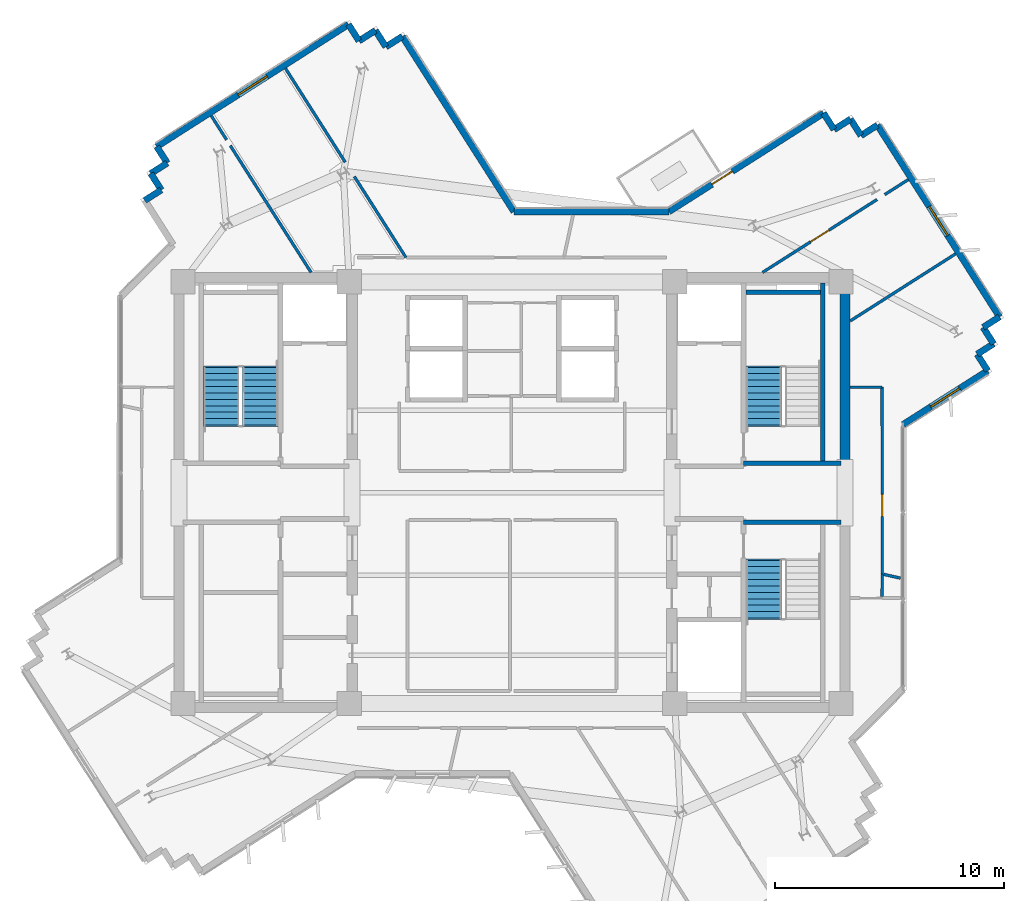
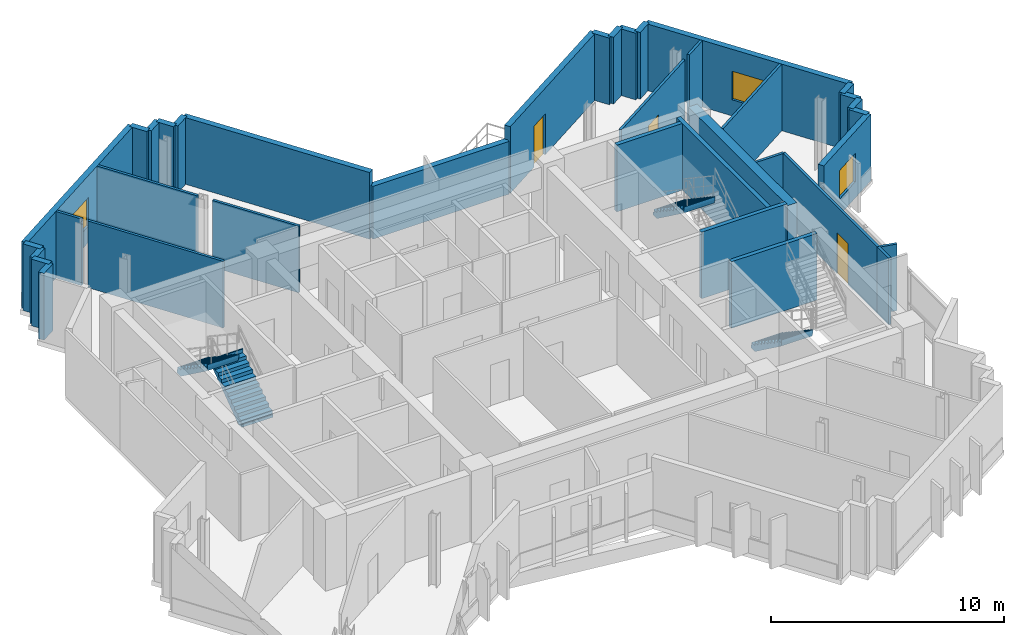
# One storey, part 8 of 12: 38 walls, 4 stair flights, 3 doors, 3 windows, 6 openings, 3 elements without a shape of their own.
"""IFC4 building model written with IfcOpenShell, lengths in metres."""

from ifc_helpers import new_model, si_unit, direction, frame, frame_2d, origin, place, context, subcontext, project, spatial, polyline, rectangle, outline, extrude, source, transform, mapped, material, layer, layer_set, type_object, element, fill, aggregate, save


model = new_model("IFC4")

# Units and contexts
model_context = context("Model", 3, precision=1e-05, world=origin(), true_north=direction((0.0, 1.0)))
body_context = subcontext(model_context, "Body", "Model", "MODEL_VIEW")
ifc_project = project(units=[si_unit("LENGTHUNIT", "METRE"), si_unit("AREAUNIT", "SQUARE_METRE"), si_unit("VOLUMEUNIT", "CUBIC_METRE"), si_unit("PLANEANGLEUNIT", "RADIAN"), si_unit("MASSUNIT", "GRAM", prefix="KILO")], contexts=[model_context])

# Site, building, storey
site_placement = place(None, origin())
site = spatial("IfcSite", under=ifc_project, at=site_placement, CompositionType="ELEMENT")
building_placement = place(site_placement, origin())
building = spatial("IfcBuilding", under=site, at=building_placement, Name="Zahravan Cultural Tower", CompositionType="ELEMENT")
storey_placement = place(building_placement, frame((0.0, 0.0, 265.35009765625)))
storey = spatial("IfcBuildingStorey", under=building, at=storey_placement, Name="L63", CompositionType="ELEMENT", Elevation=265.35009765625)

# Wall, opening, door
ifc_material_1 = material(Name="Precast concrete C40/50", Category="concrete")
ifc_layer_1 = layer(ifc_material_1, 0.280029296875)
ifc_layer_set_1 = layer_set([ifc_layer_1], Name="Precast concrete C40/50")
wall_type_1 = type_object("IfcWallType", Name="EW-TC-280", PredefinedType="SOLIDWALL", material=ifc_layer_set_1)
wall_1_placement = place(storey_placement, frame((42.84912109375, 39.260009765625, 0.0), z_axis=(0.0, 0.0, 1.0), x_axis=(0.843388565396, 0.537304129669, 0.0)))
wall_1 = element("IfcWall", 1, at=wall_1_placement, inside=storey, type_object=wall_type_1, Name="L63 Exterior Masonry Frame Wall 01", PredefinedType="SOLIDWALL", context=body_context, shape_type="SweptSolid", body=[
    extrude(rectangle(XDim=7.99609375, YDim=0.280029296875, at=frame_2d((3.998046875, 0.0))), origin(), (0.0, 0.0, 1.0), 3.5),
])
opening_1_placement = place(wall_1_placement, frame((2.222900390625, 0.0, 0.0)))
opening_1 = element("IfcOpeningElement", 2, at=opening_1_placement, cuts=wall_1, Name="Opening D-L63-TR-NE", PredefinedType="OPENING", context=body_context, shape_type="SweptSolid", body=[
    extrude(rectangle(XDim=1.050048828125, YDim=2.14990234375, at=frame_2d((0.52490234375, 1.074951171875))), frame((0.0, 0.14990234375, 0.0), z_axis=(0.0, -1.0, 0.0), x_axis=(1.0, 0.0, 0.0)), (0.0, 0.0, 1.0), 0.300048828125),
])
ifc_material_2 = material(Name="Anodised bronze-aluminium mullion", Category="aluminium")
door_type_1 = type_object("IfcDoorType", Name="DR-TERR-1050", OperationType="NOTDEFINED", PredefinedType="DOOR", material=ifc_material_2)
shared_shape_1 = source(origin(), body_context, "Body", "SweptSolid", [
    extrude(rectangle(XDim=1.050048828125, YDim=2.14990234375, at=frame_2d((0.52490234375, 1.074951171875))), frame((0.0, 0.02490234375, 0.0), z_axis=(0.0, -1.0, 0.0), x_axis=(1.0, 0.0, 0.0)), (0.0, 0.0, 1.0), 0.050048828125),
])
door_1_placement = place(opening_1_placement, origin())
door_1 = element("IfcDoor", 3, at=door_1_placement, inside=storey, type_object=door_type_1, Name="L63 Terrace Access Door NE", OperationType="SINGLE_SWING_RIGHT", OverallHeight=2.14990234375, OverallWidth=1.050048828125, PredefinedType="DOOR", context=body_context, shape_type="MappedRepresentation", body=[
    mapped(shared_shape_1, transform((0.0, 0.0, 0.0), x_axis=(1.0, 0.0, 0.0), y_axis=(0.0, 1.0, 0.0), z_axis=(0.0, 0.0, 1.0), scale=1.0)),
])
fill(opening_1, door_1)

# Wall, opening, window
wall_2_placement = place(storey_placement, frame((51.940185546875, 43.035888671875, 0.0), z_axis=(0.0, 0.0, 1.0), x_axis=(0.537314949054, -0.843381672508, 0.0)))
wall_2 = element("IfcWall", 4, at=wall_2_placement, inside=storey, type_object=wall_type_1, Name="L63 Exterior Masonry Frame Wall 06", PredefinedType="SOLIDWALL", context=body_context, shape_type="SweptSolid", body=[
    extrude(rectangle(XDim=9.919921875, YDim=0.280029296875, at=frame_2d((4.9599609375, 0.0))), origin(), (0.0, 0.0, 1.0), 3.5),
])
opening_2_placement = place(wall_2_placement, frame((4.2099609375, 0.0, 0.85009765625)))
opening_2 = element("IfcOpeningElement", 5, at=opening_2_placement, cuts=wall_2, Name="Opening WN-03", PredefinedType="OPENING", context=body_context, shape_type="SweptSolid", body=[
    extrude(rectangle(XDim=1.5, YDim=1.5, at=frame_2d((0.75, 0.75))), frame((0.0, 0.14990234375, 0.0), z_axis=(0.0, -1.0, 0.0), x_axis=(1.0, 0.0, 0.0)), (0.0, 0.0, 1.0), 0.300048828125),
])
ifc_material_3 = material(Name="Low-E solar-control double glazing", Category="glass")
window_type = type_object("IfcWindowType", Name="WN-REC-1500X1500", PartitioningType="SINGLE_PANEL", PredefinedType="WINDOW", material=ifc_material_3)
shared_shape_2 = source(origin(), body_context, "Body", "SweptSolid", [
    extrude(rectangle(XDim=1.5, YDim=1.5, at=frame_2d((0.75, 0.75))), frame((0.0, 0.030029296875, 0.0), z_axis=(0.0, -1.0, 0.0), x_axis=(1.0, 0.0, 0.0)), (0.0, 0.0, 1.0), 0.06005859375),
])
window_1_placement = place(opening_2_placement, origin())
window_1 = element("IfcWindow", 6, at=window_1_placement, inside=storey, type_object=window_type, Name="L63 Recessed Solar Window 01", OverallHeight=1.5, OverallWidth=1.5, PartitioningType="SINGLE_PANEL", PredefinedType="WINDOW", context=body_context, shape_type="MappedRepresentation", body=[
    mapped(shared_shape_2, transform((0.0, 0.0, 0.0), x_axis=(1.0, 0.0, 0.0), y_axis=(0.0, 1.0, 0.0), z_axis=(0.0, 0.0, 1.0), scale=1.0)),
])
fill(opening_2, window_1)

wall_3_placement = place(storey_placement, frame((56.75, 32.322509765625, 0.0), z_axis=(0.0, 0.0, 1.0), x_axis=(-0.843383352012, -0.537312312857, 0.0)))
wall_3 = element("IfcWall", 7, at=wall_3_placement, inside=storey, type_object=wall_type_1, Name="L63 Exterior Masonry Frame Wall 11", PredefinedType="SOLIDWALL", context=body_context, shape_type="SweptSolid", body=[
    extrude(rectangle(XDim=4.375244140625, YDim=0.280029296875, at=frame_2d((2.1875, 0.0))), origin(), (0.0, 0.0, 1.0), 3.5),
])
opening_3_placement = place(wall_3_placement, frame((1.43798828125, 0.0, 0.85009765625)))
opening_3 = element("IfcOpeningElement", 8, at=opening_3_placement, cuts=wall_3, Name="Opening WN-03", PredefinedType="OPENING", context=body_context, shape_type="SweptSolid", body=[
    extrude(rectangle(XDim=1.5, YDim=1.5, at=frame_2d((0.75, 0.75))), frame((0.0, 0.14990234375, 0.0), z_axis=(0.0, -1.0, 0.0), x_axis=(1.0, 0.0, 0.0)), (0.0, 0.0, 1.0), 0.300048828125),
])
window_2_placement = place(opening_3_placement, origin())
window_2 = element("IfcWindow", 9, at=window_2_placement, inside=storey, type_object=window_type, Name="L63 Recessed Solar Window 02", OverallHeight=1.5, OverallWidth=1.5, PartitioningType="SINGLE_PANEL", PredefinedType="WINDOW", context=body_context, shape_type="MappedRepresentation", body=[
    mapped(shared_shape_2, transform((0.0, 0.0, 0.0), x_axis=(1.0, 0.0, 0.0), y_axis=(0.0, 1.0, 0.0), z_axis=(0.0, 0.0, 1.0), scale=1.0)),
])
fill(opening_3, window_2)

wall_4_placement = place(storey_placement, frame((20.501220703125, 42.0966796875, 0.0), z_axis=(0.0, 0.0, 1.0), x_axis=(0.843388777764, 0.537303796322, 0.0)))
wall_4 = element("IfcWall", 10, at=wall_4_placement, inside=storey, type_object=wall_type_1, Name="L63 Exterior Masonry Frame Wall 42", PredefinedType="SOLIDWALL", context=body_context, shape_type="SweptSolid", body=[
    extrude(rectangle(XDim=9.920166015625, YDim=0.280029296875, at=frame_2d((4.9599609375, 0.0))), origin(), (0.0, 0.0, 1.0), 3.5),
])
opening_4_placement = place(wall_4_placement, frame((4.2099609375, 0.0, 0.85009765625)))
opening_4 = element("IfcOpeningElement", 11, at=opening_4_placement, cuts=wall_4, Name="Opening WN-03", PredefinedType="OPENING", context=body_context, shape_type="SweptSolid", body=[
    extrude(rectangle(XDim=1.5, YDim=1.5, at=frame_2d((0.75, 0.75))), frame((0.0, 0.14990234375, 0.0), z_axis=(0.0, -1.0, 0.0), x_axis=(1.0, 0.0, 0.0)), (0.0, 0.0, 1.0), 0.300048828125),
])
window_3_placement = place(opening_4_placement, origin())
window_3 = element("IfcWindow", 12, at=window_3_placement, inside=storey, type_object=window_type, Name="L63 Recessed Solar Window 08", OverallHeight=1.5, OverallWidth=1.5, PartitioningType="SINGLE_PANEL", PredefinedType="WINDOW", context=body_context, shape_type="MappedRepresentation", body=[
    mapped(shared_shape_2, transform((0.0, 0.0, 0.0), x_axis=(1.0, 0.0, 0.0), y_axis=(0.0, 1.0, 0.0), z_axis=(0.0, 0.0, 1.0), scale=1.0)),
])
fill(opening_4, window_3)

# Wall, opening, door
ifc_material_4 = material(Name="Gypsum plasterboard partition")
ifc_layer_2 = layer(ifc_material_4, 0.125)
ifc_layer_set_2 = layer_set([ifc_layer_2], Name="Gypsum plasterboard partition")
wall_type_2 = type_object("IfcWallType", Name="W-PART-125", PredefinedType="PARTITIONING", material=ifc_layer_set_2)
wall_5_placement = place(storey_placement, frame((46.926513671875, 36.60498046875, 0.0), z_axis=(0.0, 0.0, 1.0), x_axis=(0.843398332862, 0.537288797693, 0.0)))
wall_5 = element("IfcWall", 13, at=wall_5_placement, inside=storey, type_object=wall_type_2, Name="L63 Interior Wall 055", PredefinedType="PARTITIONING", context=body_context, shape_type="SweptSolid", body=[
    extrude(rectangle(XDim=5.923583984375, YDim=0.125, at=frame_2d((2.9619140625, 0.0))), origin(), (0.0, 0.0, 1.0), 3.5),
])
opening_5_placement = place(wall_5_placement, frame((2.48681640625, 0.0, 0.0)))
opening_5 = element("IfcOpeningElement", 14, at=opening_5_placement, cuts=wall_5, Name="Opening D-L63-31", PredefinedType="OPENING", context=body_context, shape_type="SweptSolid", body=[
    extrude(rectangle(XDim=0.949951171875, YDim=2.14990234375, at=frame_2d((0.47509765625, 1.074951171875))), frame((0.0, 0.072509765625, 0.0), z_axis=(0.0, -1.0, 0.0), x_axis=(1.0, 0.0, 0.0)), (0.0, 0.0, 1.0), 0.14501953125),
])
door_type_2 = type_object("IfcDoorType", Name="DR-ROOM-950", OperationType="NOTDEFINED", PredefinedType="DOOR", material=ifc_material_2)
shared_shape_3 = source(origin(), body_context, "Body", "SweptSolid", [
    extrude(rectangle(XDim=0.949951171875, YDim=2.14990234375, at=frame_2d((0.47509765625, 1.074951171875))), frame((0.0, 0.02490234375, 0.0), z_axis=(0.0, -1.0, 0.0), x_axis=(1.0, 0.0, 0.0)), (0.0, 0.0, 1.0), 0.050048828125),
])
door_2_placement = place(opening_5_placement, origin())
door_2 = element("IfcDoor", 15, at=door_2_placement, inside=storey, type_object=door_type_2, Name="L63 Door D-L63-31", OperationType="SINGLE_SWING_RIGHT", OverallHeight=2.14990234375, OverallWidth=0.949951171875, PredefinedType="DOOR", context=body_context, shape_type="MappedRepresentation", body=[
    mapped(shared_shape_3, transform((0.0, 0.0, 0.0), x_axis=(1.0, 0.0, 0.0), y_axis=(0.0, 1.0, 0.0), z_axis=(0.0, 0.0, 1.0), scale=1.0)),
])
fill(opening_5, door_2)

wall_6_placement = place(storey_placement, frame((52.14990234375, 23.450927734375, 0.0), z_axis=(0.0, 0.0, 1.0), x_axis=(-0.000119850186, 0.999999992818, 0.0)))
wall_6 = element("IfcWall", 16, at=wall_6_placement, inside=storey, type_object=wall_type_2, Name="L63 Interior Wall 086", PredefinedType="PARTITIONING", context=body_context, shape_type="SweptSolid", body=[
    extrude(rectangle(XDim=8.148193359375, YDim=0.125, at=frame_2d((4.07421875, 0.0))), origin(), (0.0, 0.0, 1.0), 3.5),
])
opening_6_placement = place(wall_6_placement, frame((2.519287109375, 0.0, 0.0)))
opening_6 = element("IfcOpeningElement", 17, at=opening_6_placement, cuts=wall_6, Name="Opening D-L63-20", PredefinedType="OPENING", context=body_context, shape_type="SweptSolid", body=[
    extrude(rectangle(XDim=0.949951171875, YDim=2.14990234375, at=frame_2d((0.47509765625, 1.074951171875))), frame((0.0, 0.072509765625, 0.0), z_axis=(0.0, -1.0, 0.0), x_axis=(1.0, 0.0, 0.0)), (0.0, 0.0, 1.0), 0.14501953125),
])
door_3_placement = place(opening_6_placement, origin())
door_3 = element("IfcDoor", 18, at=door_3_placement, inside=storey, type_object=door_type_2, Name="L63 Door D-L63-20", OperationType="SINGLE_SWING_LEFT", OverallHeight=2.14990234375, OverallWidth=0.949951171875, PredefinedType="DOOR", context=body_context, shape_type="MappedRepresentation", body=[
    mapped(shared_shape_3, transform((0.0, 0.0, 0.0), x_axis=(1.0, 0.0, 0.0), y_axis=(0.0, 1.0, 0.0), z_axis=(0.0, 0.0, 1.0), scale=1.0)),
])
fill(opening_6, door_3)

# Walls
ifc_material_5 = material(Name="Concrete C50/60", Category="concrete")
ifc_layer_3 = layer(ifc_material_5, 0.449951171875)
ifc_layer_set_3 = layer_set([ifc_layer_3], Name="Concrete C50/60")
wall_type_3 = type_object("IfcWallType", Name="CW-SHEAR-450-C50", PredefinedType="SHEAR", material=ifc_layer_set_3)
shared_shape_4 = source(origin(), body_context, "Body", "SweptSolid", [
    extrude(rectangle(XDim=8.550048828125, YDim=0.449951171875, at=frame_2d((4.27490234375, 0.0))), origin(), (0.0, 0.0, 1.0), 3.5),
])
wall_7_placement = place(storey_placement, frame((50.52490234375, 28.050048828125, 0.0), z_axis=(0.0, 0.0, 1.0), x_axis=(0.0, 1.0, 0.0)))
element("IfcWall", 19, at=wall_7_placement, inside=storey, type_object=wall_type_3, Name="L63 Core Shear Wall CW-E-EN-L63", PredefinedType="SHEAR", context=body_context, shape_type="MappedRepresentation", body=[
    mapped(shared_shape_4, transform((0.0, 0.0, 0.0), x_axis=(1.0, 0.0, 0.0), y_axis=(0.0, 1.0, 0.0), z_axis=(0.0, 0.0, 1.0), scale=1.0)),
])
shared_shape_5 = source(origin(), body_context, "Body", "SweptSolid", [
    extrude(rectangle(XDim=0.85009765625, YDim=0.280029296875, at=frame_2d((0.425048828125, 0.0))), origin(), (0.0, 0.0, 1.0), 3.5),
])
for number, where, z_axis, x_axis, name in (
    (20, (57.270263671875, 34.669677734375, 0.0), (0.0, 0.0, 1.0), (-0.843401251716, -0.537284215853, 0.0), "L63 Exterior Masonry Frame Wall 07"),
    (21, (29.32421875, 46.7099609375, 0.0), (0.0, 0.0, 1.0), (0.843531374408, 0.537079901308, 0.0), "L63 Exterior Masonry Frame Wall 44"),
):
    element("IfcWall", number, at=place(storey_placement, frame(where, z_axis=z_axis, x_axis=x_axis)), inside=storey, type_object=wall_type_1, Name=name, PredefinedType="SOLIDWALL", context=body_context, shape_type="MappedRepresentation", body=[
        mapped(shared_shape_5, transform((0.0, 0.0, 0.0), x_axis=(1.0, 0.0, 0.0), y_axis=(0.0, 1.0, 0.0), z_axis=(0.0, 0.0, 1.0), scale=1.0)),
    ])
shared_shape_6 = source(origin(), body_context, "Body", "SweptSolid", [
    extrude(rectangle(XDim=0.849853515625, YDim=0.280029296875, at=frame_2d((0.4248046875, 0.0))), origin(), (0.0, 0.0, 1.0), 3.5),
])
for number, where, z_axis, x_axis, name in (
    (22, (49.593017578125, 43.556396484375, 0.0), (0.0, 0.0, 1.0), (0.537414368337, -0.843318324659, 0.0), "L63 Exterior Masonry Frame Wall 02"),
    (23, (50.0498046875, 42.839599609375, 0.0), (0.0, 0.0, 1.0), (0.843448497615, 0.537210044462, 0.0), "L63 Exterior Masonry Frame Wall 03"),
    (24, (50.7666015625, 43.296142578125, 0.0), (0.0, 0.0, 1.0), (0.537414368337, -0.843318324659, 0.0), "L63 Exterior Masonry Frame Wall 04"),
    (25, (51.223388671875, 42.579345703125, 0.0), (0.0, 0.0, 1.0), (0.843448497615, 0.537210044462, 0.0), "L63 Exterior Masonry Frame Wall 05"),
    (26, (56.55322265625, 34.212890625, 0.0), (0.0, 0.0, 1.0), (0.537414368337, -0.843318324659, 0.0), "L63 Exterior Masonry Frame Wall 08"),
    (27, (57.010009765625, 33.49609375, 0.0), (0.0, 0.0, 1.0), (-0.843318324659, -0.537414368337, 0.0), "L63 Exterior Masonry Frame Wall 09"),
    (28, (56.293212890625, 33.039306640625, 0.0), (0.0, 0.0, 1.0), (0.537414368337, -0.843318324659, 0.0), "L63 Exterior Masonry Frame Wall 10"),
    (29, (19.98095703125, 39.74951171875, 0.0), (0.0, 0.0, 1.0), (0.843318324659, 0.537414368337, 0.0), "L63 Exterior Masonry Frame Wall 38"),
    (30, (20.69775390625, 40.206298828125, 0.0), (0.0, 0.0, 1.0), (-0.537210044462, 0.843448497615, 0.0), "L63 Exterior Masonry Frame Wall 39"),
    (31, (20.2412109375, 40.923095703125, 0.0), (0.0, 0.0, 1.0), (0.843318324659, 0.537414368337, 0.0), "L63 Exterior Masonry Frame Wall 40"),
    (32, (20.9580078125, 41.3798828125, 0.0), (0.0, 0.0, 1.0), (-0.537414368337, 0.843318324659, 0.0), "L63 Exterior Masonry Frame Wall 41"),
    (33, (28.86767578125, 47.4267578125, 0.0), (0.0, 0.0, 1.0), (0.537210044462, -0.843448497615, 0.0), "L63 Exterior Masonry Frame Wall 43"),
    (34, (30.041259765625, 47.16650390625, 0.0), (0.0, 0.0, 1.0), (0.537414368337, -0.843318324659, 0.0), "L63 Exterior Masonry Frame Wall 45"),
    (35, (30.498046875, 46.44970703125, 0.0), (0.0, 0.0, 1.0), (0.843318324659, 0.537414368337, 0.0), "L63 Exterior Masonry Frame Wall 46"),
):
    element("IfcWall", number, at=place(storey_placement, frame(where, z_axis=z_axis, x_axis=x_axis)), inside=storey, type_object=wall_type_1, Name=name, PredefinedType="SOLIDWALL", context=body_context, shape_type="MappedRepresentation", body=[
        mapped(shared_shape_6, transform((0.0, 0.0, 0.0), x_axis=(1.0, 0.0, 0.0), y_axis=(0.0, 1.0, 0.0), z_axis=(0.0, 0.0, 1.0), scale=1.0)),
    ])
shared_shape_7 = source(origin(), body_context, "Body", "SweptSolid", [
    extrude(rectangle(XDim=9.06640625, YDim=0.280029296875, at=frame_2d((4.533203125, 0.0))), origin(), (0.0, 0.0, 1.0), 3.5),
])
wall_8_placement = place(storey_placement, frame((31.21484375, 46.906494140625, 0.0), z_axis=(0.0, 0.0, 1.0), x_axis=(0.537298831286, -0.843391940855, 0.0)))
element("IfcWall", 36, at=wall_8_placement, inside=storey, type_object=wall_type_1, Name="L63 Exterior Masonry Frame Wall 47", PredefinedType="SOLIDWALL", context=body_context, shape_type="MappedRepresentation", body=[
    mapped(shared_shape_7, transform((0.0, 0.0, 0.0), x_axis=(1.0, 0.0, 0.0), y_axis=(0.0, 1.0, 0.0), z_axis=(0.0, 0.0, 1.0), scale=1.0)),
])
shared_shape_8 = source(origin(), body_context, "Body", "SweptSolid", [
    extrude(rectangle(XDim=6.762939453125, YDim=0.280029296875, at=frame_2d((3.38134765625, 0.0))), origin(), (0.0, 0.0, 1.0), 2.77197265625),
])
wall_9_placement = place(storey_placement, frame((36.086181640625, 39.260009765625, 0.0), z_axis=(0.0, 0.0, 1.0), x_axis=(1.0, 0.0, 0.0)))
element("IfcWall", 37, at=wall_9_placement, inside=storey, type_object=wall_type_1, Name="L63 Exterior Masonry Frame Wall 48", PredefinedType="SOLIDWALL", context=body_context, shape_type="MappedRepresentation", body=[
    mapped(shared_shape_8, transform((0.0, 0.0, 0.0), x_axis=(1.0, 0.0, 0.0), y_axis=(0.0, 1.0, 0.0), z_axis=(0.0, 0.0, 1.0), scale=1.0)),
])
ifc_material_6 = material(Name="Concrete C45/55", Category="concrete")
ifc_layer_4 = layer(ifc_material_6, 0.199951171875)
ifc_layer_set_4 = layer_set([ifc_layer_4], Name="Concrete C45/55")
wall_type_4 = type_object("IfcWallType", Name="W-SHAFT-200", PredefinedType="SOLIDWALL", material=ifc_layer_set_4)
shared_shape_9 = source(origin(), body_context, "Body", "SweptSolid", [
    extrude(rectangle(XDim=7.869873046875, YDim=0.199951171875, at=frame_2d((3.93505859375, 0.0))), origin(), (0.0, 0.0, 1.0), 3.5),
])
wall_10_placement = place(storey_placement, frame((49.550048828125, 28.280029296875, 0.0), z_axis=(0.0, 0.0, 1.0), x_axis=(0.0, 1.0, 0.0)))
element("IfcWall", 38, at=wall_10_placement, inside=storey, type_object=wall_type_4, Name="L63 Interior Wall 004", PredefinedType="SOLIDWALL", context=body_context, shape_type="MappedRepresentation", body=[
    mapped(shared_shape_9, transform((0.0, 0.0, 0.0), x_axis=(1.0, 0.0, 0.0), y_axis=(0.0, 1.0, 0.0), z_axis=(0.0, 0.0, 1.0), scale=1.0)),
])
shared_shape_10 = source(origin(), body_context, "Body", "SweptSolid", [
    extrude(rectangle(XDim=4.25, YDim=0.199951171875, at=frame_2d((2.125, 0.0))), origin(), (0.0, 0.0, 1.0), 3.5),
])
for number, where, z_axis, x_axis, name in (
    (39, (46.10009765625, 25.715087890625, 0.0), (0.0, 0.0, 1.0), (1.0, 0.0, 0.0), "L63 Interior Wall 014"),
    (40, (46.10009765625, 28.284912109375, 0.0), (0.0, 0.0, 1.0), (1.0, 0.0, 0.0), "L63 Interior Wall 016"),
):
    element("IfcWall", number, at=place(storey_placement, frame(where, z_axis=z_axis, x_axis=x_axis)), inside=storey, type_object=wall_type_4, Name=name, PredefinedType="SOLIDWALL", context=body_context, shape_type="MappedRepresentation", body=[
        mapped(shared_shape_10, transform((0.0, 0.0, 0.0), x_axis=(1.0, 0.0, 0.0), y_axis=(0.0, 1.0, 0.0), z_axis=(0.0, 0.0, 1.0), scale=1.0)),
    ])
shared_shape_11 = source(origin(), body_context, "Body", "SweptSolid", [
    extrude(rectangle(XDim=3.25, YDim=0.199951171875, at=frame_2d((1.625, 0.0))), origin(), (0.0, 0.0, 1.0), 3.5),
])
wall_11_placement = place(storey_placement, frame((46.199951171875, 35.75, 0.0), z_axis=(0.0, 0.0, 1.0), x_axis=(1.0, 0.0, 0.0)))
element("IfcWall", 41, at=wall_11_placement, inside=storey, type_object=wall_type_4, Name="L63 Interior Wall 018", PredefinedType="SOLIDWALL", context=body_context, shape_type="MappedRepresentation", body=[
    mapped(shared_shape_11, transform((0.0, 0.0, 0.0), x_axis=(1.0, 0.0, 0.0), y_axis=(0.0, 1.0, 0.0), z_axis=(0.0, 0.0, 1.0), scale=1.0)),
])
shared_shape_12 = source(origin(), body_context, "Body", "SweptSolid", [
    extrude(rectangle(XDim=1.214599609375, YDim=0.125, at=frame_2d((0.607421875, 0.0))), origin(), (0.0, 0.0, 1.0), 3.5),
])
wall_12_placement = place(storey_placement, frame((52.26025390625, 40.0029296875, 0.0), z_axis=(0.0, 0.0, 1.0), x_axis=(0.84340481812, 0.537278617453, 0.0)))
element("IfcWall", 42, at=wall_12_placement, inside=storey, type_object=wall_type_2, Name="L63 Interior Wall 056", PredefinedType="PARTITIONING", context=body_context, shape_type="MappedRepresentation", body=[
    mapped(shared_shape_12, transform((0.0, 0.0, 0.0), x_axis=(1.0, 0.0, 0.0), y_axis=(0.0, 1.0, 0.0), z_axis=(0.0, 0.0, 1.0), scale=1.0)),
])
shared_shape_13 = source(origin(), body_context, "Body", "SweptSolid", [
    extrude(rectangle(XDim=5.44580078125, YDim=0.125, at=frame_2d((2.722900390625, 0.0))), origin(), (0.0, 0.0, 1.0), 3.5),
])
wall_13_placement = place(storey_placement, frame((55.347900390625, 37.4169921875, 0.0), z_axis=(0.0, 0.0, 1.0), x_axis=(-0.843395566027, -0.537293140851, 0.0)))
element("IfcWall", 43, at=wall_13_placement, inside=storey, type_object=wall_type_2, Name="L63 Interior Wall 057", PredefinedType="PARTITIONING", context=body_context, shape_type="MappedRepresentation", body=[
    mapped(shared_shape_13, transform((0.0, 0.0, 0.0), x_axis=(1.0, 0.0, 0.0), y_axis=(0.0, 1.0, 0.0), z_axis=(0.0, 0.0, 1.0), scale=1.0)),
])
shared_shape_14 = source(origin(), body_context, "Body", "SweptSolid", [
    extrude(rectangle(XDim=0.981201171875, YDim=0.125, at=frame_2d((0.49072265625, 0.0))), origin(), (0.0, 0.0, 1.0), 3.5),
])
wall_14_placement = place(storey_placement, frame((52.148681640625, 22.4697265625, 0.0), z_axis=(0.0, 0.0, 1.0), x_axis=(0.001244089607, 0.99999922612, 0.0)))
element("IfcWall", 44, at=wall_14_placement, inside=storey, type_object=wall_type_2, Name="L63 Interior Wall 067", PredefinedType="PARTITIONING", context=body_context, shape_type="MappedRepresentation", body=[
    mapped(shared_shape_14, transform((0.0, 0.0, 0.0), x_axis=(1.0, 0.0, 0.0), y_axis=(0.0, 1.0, 0.0), z_axis=(0.0, 0.0, 1.0), scale=1.0)),
])
shared_shape_15 = source(origin(), body_context, "Body", "SweptSolid", [
    extrude(rectangle(XDim=0.745849609375, YDim=0.125, at=frame_2d((0.373046875, 0.0))), origin(), (0.0, 0.0, 1.0), 3.5),
])
wall_15_placement = place(storey_placement, frame((52.217529296875, 23.435791015625, 0.0), z_axis=(0.0, 0.0, 1.0), x_axis=(0.975574688732, -0.219667991993, 0.0)))
element("IfcWall", 45, at=wall_15_placement, inside=storey, type_object=wall_type_2, Name="L63 Interior Wall 068", PredefinedType="PARTITIONING", context=body_context, shape_type="MappedRepresentation", body=[
    mapped(shared_shape_15, transform((0.0, 0.0, 0.0), x_axis=(1.0, 0.0, 0.0), y_axis=(0.0, 1.0, 0.0), z_axis=(0.0, 0.0, 1.0), scale=1.0)),
])
shared_shape_16 = source(origin(), body_context, "Body", "SweptSolid", [
    extrude(rectangle(XDim=4.1875, YDim=0.125, at=frame_2d((2.09375, 0.0))), origin(), (0.0, 0.0, 1.0), 3.5),
])
wall_16_placement = place(storey_placement, frame((29.122802734375, 40.791748046875, 0.0), z_axis=(0.0, 0.0, 1.0), x_axis=(0.537264008944, -0.843414124078, 0.0)))
element("IfcWall", 46, at=wall_16_placement, inside=storey, type_object=wall_type_2, Name="L63 Interior Wall 076", PredefinedType="PARTITIONING", context=body_context, shape_type="MappedRepresentation", body=[
    mapped(shared_shape_16, transform((0.0, 0.0, 0.0), x_axis=(1.0, 0.0, 0.0), y_axis=(0.0, 1.0, 0.0), z_axis=(0.0, 0.0, 1.0), scale=1.0)),
])
shared_shape_17 = source(origin(), body_context, "Body", "SweptSolid", [
    extrude(rectangle(XDim=6.559814453125, YDim=0.125, at=frame_2d((3.27978515625, 0.0))), origin(), (0.0, 0.0, 1.0), 3.5),
])
wall_17_placement = place(storey_placement, frame((27.23681640625, 36.60498046875, 0.0), z_axis=(0.0, 0.0, 1.0), x_axis=(-0.537282422054, 0.843402394443, 0.0)))
element("IfcWall", 47, at=wall_17_placement, inside=storey, type_object=wall_type_2, Name="L63 Interior Wall 078", PredefinedType="PARTITIONING", context=body_context, shape_type="MappedRepresentation", body=[
    mapped(shared_shape_17, transform((0.0, 0.0, 0.0), x_axis=(1.0, 0.0, 0.0), y_axis=(0.0, 1.0, 0.0), z_axis=(0.0, 0.0, 1.0), scale=1.0)),
])
shared_shape_18 = source(origin(), body_context, "Body", "SweptSolid", [
    extrude(rectangle(XDim=1.241455078125, YDim=0.125, at=frame_2d((0.62060546875, 0.0))), origin(), (0.0, 0.0, 1.0), 3.5),
])
wall_18_placement = place(storey_placement, frame((23.548583984375, 42.394287109375, 0.0), z_axis=(0.0, 0.0, 1.0), x_axis=(-0.537244446477, 0.843426585264, 0.0)))
element("IfcWall", 48, at=wall_18_placement, inside=storey, type_object=wall_type_2, Name="L63 Interior Wall 079", PredefinedType="PARTITIONING", context=body_context, shape_type="MappedRepresentation", body=[
    mapped(shared_shape_18, transform((0.0, 0.0, 0.0), x_axis=(1.0, 0.0, 0.0), y_axis=(0.0, 1.0, 0.0), z_axis=(0.0, 0.0, 1.0), scale=1.0)),
])
shared_shape_19 = source(origin(), body_context, "Body", "SweptSolid", [
    extrude(rectangle(XDim=4.846435546875, YDim=0.125, at=frame_2d((2.42333984375, 0.0))), origin(), (0.0, 0.0, 1.0), 3.5),
])
wall_19_placement = place(storey_placement, frame((26.1201171875, 45.504638671875, 0.0), z_axis=(0.0, 0.0, 1.0), x_axis=(0.537305688893, -0.843387572047, 0.0)))
element("IfcWall", 49, at=wall_19_placement, inside=storey, type_object=wall_type_2, Name="L63 Interior Wall 080", PredefinedType="PARTITIONING", context=body_context, shape_type="MappedRepresentation", body=[
    mapped(shared_shape_19, transform((0.0, 0.0, 0.0), x_axis=(1.0, 0.0, 0.0), y_axis=(0.0, 1.0, 0.0), z_axis=(0.0, 0.0, 1.0), scale=1.0)),
])
shared_shape_20 = source(origin(), body_context, "Body", "SweptSolid", [
    extrude(rectangle(XDim=1.39404296875, YDim=0.125, at=frame_2d((0.697021484375, 0.0))), origin(), (0.0, 0.0, 1.0), 3.5),
])
wall_20_placement = place(storey_placement, frame((52.14892578125, 31.59912109375, 0.0), z_axis=(0.0, 0.0, 1.0), x_axis=(-0.999999754632, 0.000700525222, 0.0)))
element("IfcWall", 50, at=wall_20_placement, inside=storey, type_object=wall_type_2, Name="L63 Interior Wall 085", PredefinedType="PARTITIONING", context=body_context, shape_type="MappedRepresentation", body=[
    mapped(shared_shape_20, transform((0.0, 0.0, 0.0), x_axis=(1.0, 0.0, 0.0), y_axis=(0.0, 1.0, 0.0), z_axis=(0.0, 0.0, 1.0), scale=1.0)),
])

# Stair, stair flights
stair_type = type_object("IfcStairType", Name="STR-DL-1550-375", PredefinedType="HALF_TURN_STAIR", material=ifc_material_6)
stair_1_placement = place(storey_placement, origin())
stair_1 = element("IfcStair", 51, at=stair_1_placement, inside=storey, type_object=stair_type, Name="L63 West Core North Exit Stair ST-W1", PredefinedType="HALF_TURN_STAIR")
stair_flight_type = type_object("IfcStairFlightType", Name="FLG-DL-1550-375", PredefinedType="STRAIGHT", material=ifc_material_6)
stair_flight_1_placement = place(storey_placement, frame((25.02490234375, 29.949951171875, 0.0), z_axis=(0.0, 0.0, 1.0), x_axis=(0.0, 1.0, 0.0)))
stair_flight_1 = element("IfcStairFlight", 52, at=stair_flight_1_placement, type_object=stair_flight_type, Name="ST-W1 flight 1", NumberOfRisers=10, NumberOfTreads=9, PredefinedType="STRAIGHT", RiserHeight=0.1875, TreadLength=0.28, context=body_context, shape_type="SweptSolid", body=[
    extrude(outline(polyline([(-0.06494140625, -0.139892578125), (-0.06494140625, 0.0), (0.0, 0.0), (0.0, 0.1875), (0.280029296875, 0.1875), (0.280029296875, 0.375), (0.56005859375, 0.375), (0.56005859375, 0.5625), (0.840087890625, 0.5625), (0.840087890625, 0.75), (1.1201171875, 0.75), (1.1201171875, 0.9375), (1.39990234375, 0.9375), (1.39990234375, 1.125), (1.679931640625, 1.125), (1.679931640625, 1.3125), (1.9599609375, 1.3125), (1.9599609375, 1.5), (2.239990234375, 1.5), (2.239990234375, 1.6875), (2.52001953125, 1.6875), (2.52001953125, 1.875), (2.5849609375, 1.875), (2.5849609375, 1.72509765625), (2.52001953125, 1.507080078125), (0.26953125, -0.139892578125), (-0.06494140625, -0.139892578125)])), frame((0.0, 0.77490234375, 0.0), z_axis=(0.0, -1.0, 0.0), x_axis=(1.0, 0.0, 0.0)), (0.0, 0.0, 1.0), 1.550048828125),
])
stair_flight_2_placement = place(storey_placement, frame((23.324951171875, 32.469970703125, 1.875), z_axis=(0.0, 0.0, 1.0), x_axis=(0.0, -1.0, 0.0)))
stair_flight_2 = element("IfcStairFlight", 53, at=stair_flight_2_placement, type_object=stair_flight_type, Name="ST-W1 flight 2", NumberOfRisers=10, NumberOfTreads=9, PredefinedType="STRAIGHT", RiserHeight=0.1875, TreadLength=0.28, context=body_context, shape_type="SweptSolid", body=[
    extrude(outline(polyline([(-0.06494140625, -0.139892578125), (-0.06494140625, 0.0), (0.0, 0.0), (0.0, 0.1875), (0.280029296875, 0.1875), (0.280029296875, 0.375), (0.56005859375, 0.375), (0.56005859375, 0.5625), (0.840087890625, 0.5625), (0.840087890625, 0.75), (1.1201171875, 0.75), (1.1201171875, 0.9375), (1.39990234375, 0.9375), (1.39990234375, 1.125), (1.679931640625, 1.125), (1.679931640625, 1.3125), (1.9599609375, 1.3125), (1.9599609375, 1.5), (2.239990234375, 1.5), (2.239990234375, 1.6875), (2.52001953125, 1.6875), (2.52001953125, 1.875), (2.5849609375, 1.875), (2.5849609375, 1.72509765625), (2.52001953125, 1.507080078125), (0.26953125, -0.139892578125), (-0.06494140625, -0.139892578125)])), frame((0.0, 0.77490234375, 0.0), z_axis=(0.0, -1.0, 0.0), x_axis=(1.0, 0.0, 0.0)), (0.0, 0.0, 1.0), 1.550048828125),
])
aggregate(stair_1, [stair_flight_1, stair_flight_2])

# Stair, stair flight
stair_2_placement = place(storey_placement, origin())
stair_2 = element("IfcStair", 54, at=stair_2_placement, inside=storey, type_object=stair_type, Name="L63 East Core North Exit Stair ST-E1", PredefinedType="HALF_TURN_STAIR")
stair_flight_3_placement = place(storey_placement, frame((46.97509765625, 32.469970703125, 1.875), z_axis=(0.0, 0.0, 1.0), x_axis=(0.0, -1.0, 0.0)))
stair_flight_3 = element("IfcStairFlight", 55, at=stair_flight_3_placement, type_object=stair_flight_type, Name="ST-E1 flight 2", NumberOfRisers=10, NumberOfTreads=9, PredefinedType="STRAIGHT", RiserHeight=0.1875, TreadLength=0.28, context=body_context, shape_type="SweptSolid", body=[
    extrude(outline(polyline([(-0.06494140625, -0.139892578125), (-0.06494140625, 0.0), (0.0, 0.0), (0.0, 0.1875), (0.280029296875, 0.1875), (0.280029296875, 0.375), (0.56005859375, 0.375), (0.56005859375, 0.5625), (0.840087890625, 0.5625), (0.840087890625, 0.75), (1.1201171875, 0.75), (1.1201171875, 0.9375), (1.39990234375, 0.9375), (1.39990234375, 1.125), (1.679931640625, 1.125), (1.679931640625, 1.3125), (1.9599609375, 1.3125), (1.9599609375, 1.5), (2.239990234375, 1.5), (2.239990234375, 1.6875), (2.52001953125, 1.6875), (2.52001953125, 1.875), (2.5849609375, 1.875), (2.5849609375, 1.72509765625), (2.52001953125, 1.507080078125), (0.26953125, -0.139892578125), (-0.06494140625, -0.139892578125)])), frame((0.0, 0.77490234375, 0.0), z_axis=(0.0, -1.0, 0.0), x_axis=(1.0, 0.0, 0.0)), (0.0, 0.0, 1.0), 1.550048828125),
])
aggregate(stair_2, [stair_flight_3])

stair_3_placement = place(storey_placement, origin())
stair_3 = element("IfcStair", 56, at=stair_3_placement, inside=storey, type_object=stair_type, Name="L63 East Core South Exit Stair ST-E2", PredefinedType="HALF_TURN_STAIR")
stair_flight_4_placement = place(storey_placement, frame((46.97509765625, 24.050048828125, 0.0), z_axis=(0.0, 0.0, 1.0), x_axis=(0.0, -1.0, 0.0)))
stair_flight_4 = element("IfcStairFlight", 57, at=stair_flight_4_placement, type_object=stair_flight_type, Name="ST-E2 flight 1", NumberOfRisers=10, NumberOfTreads=9, PredefinedType="STRAIGHT", RiserHeight=0.1875, TreadLength=0.28, context=body_context, shape_type="SweptSolid", body=[
    extrude(outline(polyline([(-0.06494140625, -0.139892578125), (-0.06494140625, 0.0), (0.0, 0.0), (0.0, 0.1875), (0.280029296875, 0.1875), (0.280029296875, 0.375), (0.56005859375, 0.375), (0.56005859375, 0.5625), (0.840087890625, 0.5625), (0.840087890625, 0.75), (1.1201171875, 0.75), (1.1201171875, 0.9375), (1.39990234375, 0.9375), (1.39990234375, 1.125), (1.679931640625, 1.125), (1.679931640625, 1.3125), (1.9599609375, 1.3125), (1.9599609375, 1.5), (2.239990234375, 1.5), (2.239990234375, 1.6875), (2.52001953125, 1.6875), (2.52001953125, 1.875), (2.5849609375, 1.875), (2.5849609375, 1.72509765625), (2.52001953125, 1.507080078125), (0.26953125, -0.139892578125), (-0.06494140625, -0.139892578125)])), frame((0.0, 0.77490234375, 0.0), z_axis=(0.0, -1.0, 0.0), x_axis=(1.0, 0.0, 0.0)), (0.0, 0.0, 1.0), 1.550048828125),
])
aggregate(stair_3, [stair_flight_4])

save(model, "model.ifc")
